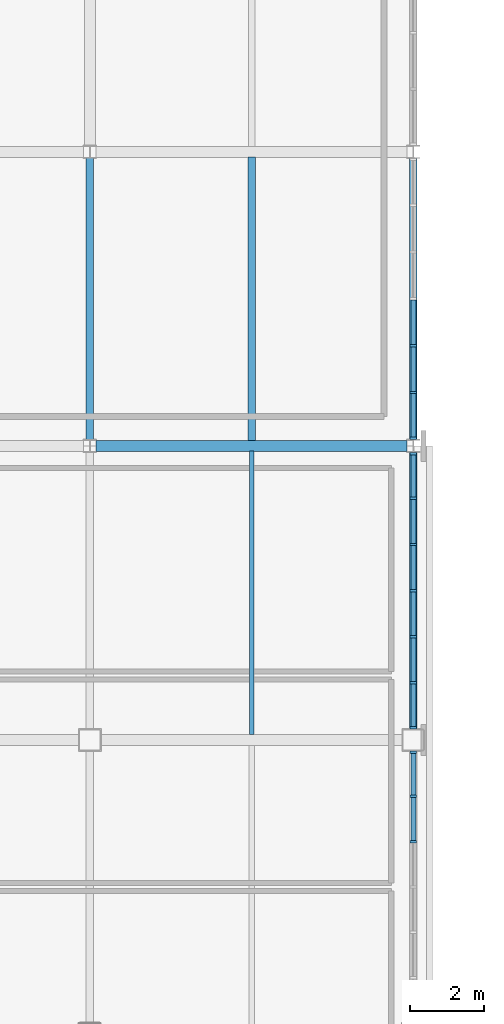
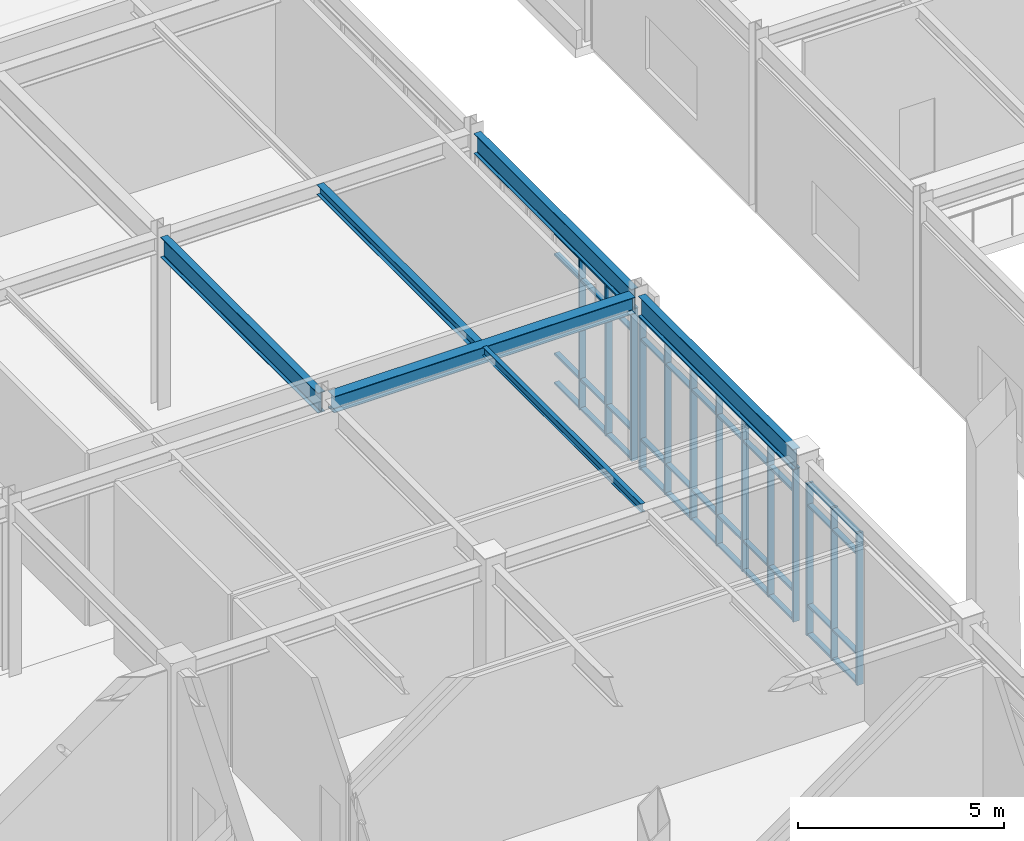
# One storey, part 65 of 184: 57 members, 6 beams, 3 elements without a shape of their own.
"""IFC4 building model written with IfcOpenShell, lengths in metres."""

from ifc_helpers import new_model, si_unit, direction, frame, origin, origin_2d, place, context, subcontext, project, spatial, rectangle, i_section, extrude, material, material_profile, profile_set, type_object, element, aggregate, save


model = new_model("IFC4")

# Units and contexts
model_context = context("Model", 3, precision=1e-05, world=origin(), true_north=direction((0.0, 1.0)))
body_context = subcontext(model_context, "Body", "Model", "MODEL_VIEW")
ifc_project = project(units=[si_unit("LENGTHUNIT", "METRE"), si_unit("AREAUNIT", "SQUARE_METRE"), si_unit("VOLUMEUNIT", "CUBIC_METRE"), si_unit("PLANEANGLEUNIT", "RADIAN"), si_unit("MASSUNIT", "GRAM", prefix="KILO")], contexts=[model_context])

# Site, building, storey
site_placement = place(None, origin())
site = spatial("IfcSite", under=ifc_project, at=site_placement, CompositionType="ELEMENT")
building_placement = place(site_placement, origin())
building = spatial("IfcBuilding", under=site, at=building_placement, Name="Zhaolan Boulevard Law Courts", CompositionType="ELEMENT")
storey_placement = place(building_placement, frame((0.0, 0.0, 5.39990234375)))
storey = spatial("IfcBuildingStorey", under=building, at=storey_placement, Name="L01", CompositionType="ELEMENT", Elevation=5.39990234375)

# Curtain wall, members
ifc_material_1 = material(Name="Thermally broken aluminium and low-E glazing", Category="aluminium")
curtain_wall_type_1 = type_object("IfcCurtainWallType", Name="CURTAIN WALL M15", PredefinedType="USERDEFINED", material=ifc_material_1)
curtain_wall_1_placement = place(storey_placement, origin())
curtain_wall_1 = element("IfcCurtainWall", 1, at=curtain_wall_1_placement, inside=storey, type_object=curtain_wall_type_1, Name="Curtain Wall CW-L01-111", ObjectType="CURTAIN WALL", PredefinedType="USERDEFINED")
ifc_material_2 = material(Name="Fluorocarbon-coated aluminium 6063-T6", Category="aluminium")
ifc_material_profile_1 = material_profile(ifc_material_2, rectangle(XDim=0.179931640625, YDim=0.06494140625, at=origin_2d()), Name="AL65x180")
ifc_profile_set_1 = profile_set([ifc_material_profile_1], Name="Fluorocarbon-coated aluminium 6063-T6")
member_type_1 = type_object("IfcMemberType", Name="CWMULLION 65X180", PredefinedType="MULLION", material=ifc_profile_set_1)
member_1_placement = place(storey_placement, frame((44.0, 78.20947265625, 0.0), z_axis=(0.0, 0.0, 1.0), x_axis=(-1.0, 0.0, 0.0)))
member_1 = element("IfcMember", 2, at=member_1_placement, type_object=member_type_1, Name="CW-L01-111 mullion 1", PredefinedType="MULLION", context=body_context, shape_type="SweptSolid", body=[
    extrude(rectangle(XDim=0.179931640625, YDim=0.06494140625, at=origin_2d()), origin(), (0.0, 0.0, 1.0), 4.503173828125),
])
member_2_placement = place(storey_placement, frame((44.0, 79.451416015625, 0.0), z_axis=(0.0, 0.0, 1.0), x_axis=(-1.0, 0.0, 0.0)))
member_2 = element("IfcMember", 3, at=member_2_placement, type_object=member_type_1, Name="CW-L01-111 mullion 2", PredefinedType="MULLION", context=body_context, shape_type="SweptSolid", body=[
    extrude(rectangle(XDim=0.179931640625, YDim=0.06494140625, at=origin_2d()), origin(), (0.0, 0.0, 1.0), 4.503173828125),
])
member_3_placement = place(storey_placement, frame((44.0, 80.7255859375, 0.0), z_axis=(0.0, 0.0, 1.0), x_axis=(-1.0, 0.0, 0.0)))
member_3 = element("IfcMember", 4, at=member_3_placement, type_object=member_type_1, Name="CW-L01-111 mullion 3", PredefinedType="MULLION", context=body_context, shape_type="SweptSolid", body=[
    extrude(rectangle(XDim=0.179931640625, YDim=0.06494140625, at=origin_2d()), origin(), (0.0, 0.0, 1.0), 4.503173828125),
])

ifc_material_3 = material(Name="Thermally broken aluminium and low-E glazing", Category="aluminium")
curtain_wall_type_2 = type_object("IfcCurtainWallType", Name="CURTAIN WALL M5", PredefinedType="USERDEFINED", material=ifc_material_3)
curtain_wall_2_placement = place(storey_placement, origin())
curtain_wall_2 = element("IfcCurtainWall", 5, at=curtain_wall_2_placement, inside=storey, type_object=curtain_wall_type_2, Name="Curtain Wall CW-L01-149", ObjectType="CURTAIN WALL", PredefinedType="USERDEFINED")
member_4_placement = place(storey_placement, frame((44.0, 67.232666015625, 0.0), z_axis=(0.0, 0.0, 1.0), x_axis=(-1.0, 0.0, 0.0)))
member_4 = element("IfcMember", 6, at=member_4_placement, type_object=member_type_1, Name="CW-L01-149 mullion 5", PredefinedType="MULLION", context=body_context, shape_type="SweptSolid", body=[
    extrude(rectangle(XDim=0.179931640625, YDim=0.06494140625, at=origin_2d()), origin(), (0.0, 0.0, 1.0), 4.523193359375),
])
member_5_placement = place(storey_placement, frame((44.0, 68.46533203125, 0.0), z_axis=(0.0, 0.0, 1.0), x_axis=(-1.0, 0.0, 0.0)))
member_5 = element("IfcMember", 7, at=member_5_placement, type_object=member_type_1, Name="CW-L01-149 mullion 6", PredefinedType="MULLION", context=body_context, shape_type="SweptSolid", body=[
    extrude(rectangle(XDim=0.179931640625, YDim=0.06494140625, at=origin_2d()), origin(), (0.0, 0.0, 1.0), 4.523193359375),
])
member_6_placement = place(storey_placement, frame((44.0, 69.66552734375, 0.0), z_axis=(0.0, 0.0, 1.0), x_axis=(-1.0, 0.0, 0.0)))
member_6 = element("IfcMember", 8, at=member_6_placement, type_object=member_type_1, Name="CW-L01-149 mullion 7", PredefinedType="MULLION", context=body_context, shape_type="SweptSolid", body=[
    extrude(rectangle(XDim=0.179931640625, YDim=0.06494140625, at=origin_2d()), origin(), (0.0, 0.0, 1.0), 4.523193359375),
])

ifc_material_4 = material(Name="Thermally broken aluminium and low-E glazing", Category="aluminium")
curtain_wall_type_3 = type_object("IfcCurtainWallType", Name="CURTAIN WALL M6", PredefinedType="USERDEFINED", material=ifc_material_4)
curtain_wall_3_placement = place(storey_placement, origin())
curtain_wall_3 = element("IfcCurtainWall", 9, at=curtain_wall_3_placement, inside=storey, type_object=curtain_wall_type_3, Name="Curtain Wall CW-L01-150", ObjectType="CURTAIN WALL", PredefinedType="USERDEFINED")
member_7_placement = place(storey_placement, frame((44.0, 70.33447265625, 0.0), z_axis=(0.0, 0.0, 1.0), x_axis=(-1.0, 0.0, 0.0)))
member_7 = element("IfcMember", 10, at=member_7_placement, type_object=member_type_1, Name="CW-L01-150 mullion 1", PredefinedType="MULLION", context=body_context, shape_type="SweptSolid", body=[
    extrude(rectangle(XDim=0.179931640625, YDim=0.06494140625, at=origin_2d()), origin(), (0.0, 0.0, 1.0), 4.523193359375),
])
member_8_placement = place(storey_placement, frame((44.0, 71.555419921875, 0.0), z_axis=(0.0, 0.0, 1.0), x_axis=(-1.0, 0.0, 0.0)))
member_8 = element("IfcMember", 11, at=member_8_placement, type_object=member_type_1, Name="CW-L01-150 mullion 2", PredefinedType="MULLION", context=body_context, shape_type="SweptSolid", body=[
    extrude(rectangle(XDim=0.179931640625, YDim=0.06494140625, at=origin_2d()), origin(), (0.0, 0.0, 1.0), 4.523193359375),
])
member_9_placement = place(storey_placement, frame((44.0, 72.80908203125, 0.0), z_axis=(0.0, 0.0, 1.0), x_axis=(-1.0, 0.0, 0.0)))
member_9 = element("IfcMember", 12, at=member_9_placement, type_object=member_type_1, Name="CW-L01-150 mullion 3", PredefinedType="MULLION", context=body_context, shape_type="SweptSolid", body=[
    extrude(rectangle(XDim=0.179931640625, YDim=0.06494140625, at=origin_2d()), origin(), (0.0, 0.0, 1.0), 4.523193359375),
])
member_10_placement = place(storey_placement, frame((44.0, 74.0625, 0.0), z_axis=(0.0, 0.0, 1.0), x_axis=(-1.0, 0.0, 0.0)))
member_10 = element("IfcMember", 13, at=member_10_placement, type_object=member_type_1, Name="CW-L01-150 mullion 4", PredefinedType="MULLION", context=body_context, shape_type="SweptSolid", body=[
    extrude(rectangle(XDim=0.179931640625, YDim=0.06494140625, at=origin_2d()), origin(), (0.0, 0.0, 1.0), 4.523193359375),
])
member_11_placement = place(storey_placement, frame((44.0, 75.31591796875, 0.0), z_axis=(0.0, 0.0, 1.0), x_axis=(-1.0, 0.0, 0.0)))
member_11 = element("IfcMember", 14, at=member_11_placement, type_object=member_type_1, Name="CW-L01-150 mullion 5", PredefinedType="MULLION", context=body_context, shape_type="SweptSolid", body=[
    extrude(rectangle(XDim=0.179931640625, YDim=0.06494140625, at=origin_2d()), origin(), (0.0, 0.0, 1.0), 4.523193359375),
])
member_12_placement = place(storey_placement, frame((44.0, 76.569580078125, 0.0), z_axis=(0.0, 0.0, 1.0), x_axis=(-1.0, 0.0, 0.0)))
member_12 = element("IfcMember", 15, at=member_12_placement, type_object=member_type_1, Name="CW-L01-150 mullion 6", PredefinedType="MULLION", context=body_context, shape_type="SweptSolid", body=[
    extrude(rectangle(XDim=0.179931640625, YDim=0.06494140625, at=origin_2d()), origin(), (0.0, 0.0, 1.0), 4.523193359375),
])
member_13_placement = place(storey_placement, frame((44.0, 77.79052734375, 0.0), z_axis=(0.0, 0.0, 1.0), x_axis=(-1.0, 0.0, 0.0)))
member_13 = element("IfcMember", 16, at=member_13_placement, type_object=member_type_1, Name="CW-L01-150 mullion 7", PredefinedType="MULLION", context=body_context, shape_type="SweptSolid", body=[
    extrude(rectangle(XDim=0.179931640625, YDim=0.06494140625, at=origin_2d()), origin(), (0.0, 0.0, 1.0), 4.523193359375),
])

# Member
ifc_material_5 = material(Name="Fluorocarbon-coated aluminium 6063-T6", Category="aluminium")
ifc_material_profile_2 = material_profile(ifc_material_5, rectangle(XDim=0.139892578125, YDim=0.06494140625, at=origin_2d()), Name="AL65x140")
ifc_profile_set_2 = profile_set([ifc_material_profile_2], Name="Fluorocarbon-coated aluminium 6063-T6")
member_type_2 = type_object("IfcMemberType", Name="CWTRANSOM 65X140", PredefinedType="USERDEFINED", material=ifc_profile_set_2)
member_14_placement = place(storey_placement, frame((44.0, 78.241943359375, 0.03271484375), z_axis=(0.0, 1.0, 0.0), x_axis=(-1.0, 0.0, 0.0)))
member_14 = element("IfcMember", 17, at=member_14_placement, type_object=member_type_2, Name="CW-L01-111 transom 1.1", ObjectType="TRANSOM", PredefinedType="USERDEFINED", context=body_context, shape_type="SweptSolid", body=[
    extrude(rectangle(XDim=0.139892578125, YDim=0.06494140625, at=origin_2d()), origin(), (0.0, 0.0, 1.0), 1.177001953125),
])

member_15_placement = place(storey_placement, frame((44.0, 78.241943359375, 0.900146484375), z_axis=(0.0, 1.0, 0.0), x_axis=(-1.0, 0.0, 0.0)))
member_15 = element("IfcMember", 18, at=member_15_placement, type_object=member_type_2, Name="CW-L01-111 transom 1.2", ObjectType="TRANSOM", PredefinedType="USERDEFINED", context=body_context, shape_type="SweptSolid", body=[
    extrude(rectangle(XDim=0.139892578125, YDim=0.06494140625, at=origin_2d()), origin(), (0.0, 0.0, 1.0), 1.177001953125),
])

member_16_placement = place(storey_placement, frame((44.0, 78.241943359375, 3.85302734375), z_axis=(0.0, 1.0, 0.0), x_axis=(-1.0, 0.0, 0.0)))
member_16 = element("IfcMember", 19, at=member_16_placement, type_object=member_type_2, Name="CW-L01-111 transom 1.3", ObjectType="TRANSOM", PredefinedType="USERDEFINED", context=body_context, shape_type="SweptSolid", body=[
    extrude(rectangle(XDim=0.139892578125, YDim=0.06494140625, at=origin_2d()), origin(), (0.0, 0.0, 1.0), 1.177001953125),
])

member_17_placement = place(storey_placement, frame((44.0, 78.241943359375, 4.470703125), z_axis=(0.0, 1.0, 0.0), x_axis=(-1.0, 0.0, 0.0)))
member_17 = element("IfcMember", 20, at=member_17_placement, type_object=member_type_2, Name="CW-L01-111 transom 1.4", ObjectType="TRANSOM", PredefinedType="USERDEFINED", context=body_context, shape_type="SweptSolid", body=[
    extrude(rectangle(XDim=0.139892578125, YDim=0.06494140625, at=origin_2d()), origin(), (0.0, 0.0, 1.0), 1.177001953125),
])

member_18_placement = place(storey_placement, frame((44.0, 79.48388671875, 0.03271484375), z_axis=(0.0, 1.0, 0.0), x_axis=(-1.0, 0.0, 0.0)))
member_18 = element("IfcMember", 21, at=member_18_placement, type_object=member_type_2, Name="CW-L01-111 transom 2.1", ObjectType="TRANSOM", PredefinedType="USERDEFINED", context=body_context, shape_type="SweptSolid", body=[
    extrude(rectangle(XDim=0.139892578125, YDim=0.06494140625, at=origin_2d()), origin(), (0.0, 0.0, 1.0), 1.209228515625),
])

member_19_placement = place(storey_placement, frame((44.0, 79.48388671875, 0.900146484375), z_axis=(0.0, 1.0, 0.0), x_axis=(-1.0, 0.0, 0.0)))
member_19 = element("IfcMember", 22, at=member_19_placement, type_object=member_type_2, Name="CW-L01-111 transom 2.2", ObjectType="TRANSOM", PredefinedType="USERDEFINED", context=body_context, shape_type="SweptSolid", body=[
    extrude(rectangle(XDim=0.139892578125, YDim=0.06494140625, at=origin_2d()), origin(), (0.0, 0.0, 1.0), 1.209228515625),
])

member_20_placement = place(storey_placement, frame((44.0, 79.48388671875, 3.85302734375), z_axis=(0.0, 1.0, 0.0), x_axis=(-1.0, 0.0, 0.0)))
member_20 = element("IfcMember", 23, at=member_20_placement, type_object=member_type_2, Name="CW-L01-111 transom 2.3", ObjectType="TRANSOM", PredefinedType="USERDEFINED", context=body_context, shape_type="SweptSolid", body=[
    extrude(rectangle(XDim=0.139892578125, YDim=0.06494140625, at=origin_2d()), origin(), (0.0, 0.0, 1.0), 1.209228515625),
])

member_21_placement = place(storey_placement, frame((44.0, 79.48388671875, 4.470703125), z_axis=(0.0, 1.0, 0.0), x_axis=(-1.0, 0.0, 0.0)))
member_21 = element("IfcMember", 24, at=member_21_placement, type_object=member_type_2, Name="CW-L01-111 transom 2.4", ObjectType="TRANSOM", PredefinedType="USERDEFINED", context=body_context, shape_type="SweptSolid", body=[
    extrude(rectangle(XDim=0.139892578125, YDim=0.06494140625, at=origin_2d()), origin(), (0.0, 0.0, 1.0), 1.209228515625),
])

member_22_placement = place(storey_placement, frame((44.0, 80.758056640625, 0.03271484375), z_axis=(0.0, 1.0, 0.0), x_axis=(-1.0, 0.0, 0.0)))
member_22 = element("IfcMember", 25, at=member_22_placement, type_object=member_type_2, Name="CW-L01-111 transom 3.1", ObjectType="TRANSOM", PredefinedType="USERDEFINED", context=body_context, shape_type="SweptSolid", body=[
    extrude(rectangle(XDim=0.139892578125, YDim=0.06494140625, at=origin_2d()), origin(), (0.0, 0.0, 1.0), 1.20947265625),
])

member_23_placement = place(storey_placement, frame((44.0, 80.758056640625, 0.900146484375), z_axis=(0.0, 1.0, 0.0), x_axis=(-1.0, 0.0, 0.0)))
member_23 = element("IfcMember", 26, at=member_23_placement, type_object=member_type_2, Name="CW-L01-111 transom 3.2", ObjectType="TRANSOM", PredefinedType="USERDEFINED", context=body_context, shape_type="SweptSolid", body=[
    extrude(rectangle(XDim=0.139892578125, YDim=0.06494140625, at=origin_2d()), origin(), (0.0, 0.0, 1.0), 1.20947265625),
])

member_24_placement = place(storey_placement, frame((44.0, 80.758056640625, 3.85302734375), z_axis=(0.0, 1.0, 0.0), x_axis=(-1.0, 0.0, 0.0)))
member_24 = element("IfcMember", 27, at=member_24_placement, type_object=member_type_2, Name="CW-L01-111 transom 3.3", ObjectType="TRANSOM", PredefinedType="USERDEFINED", context=body_context, shape_type="SweptSolid", body=[
    extrude(rectangle(XDim=0.139892578125, YDim=0.06494140625, at=origin_2d()), origin(), (0.0, 0.0, 1.0), 1.20947265625),
])

member_25_placement = place(storey_placement, frame((44.0, 80.758056640625, 4.470703125), z_axis=(0.0, 1.0, 0.0), x_axis=(-1.0, 0.0, 0.0)))
member_25 = element("IfcMember", 28, at=member_25_placement, type_object=member_type_2, Name="CW-L01-111 transom 3.4", ObjectType="TRANSOM", PredefinedType="USERDEFINED", context=body_context, shape_type="SweptSolid", body=[
    extrude(rectangle(XDim=0.139892578125, YDim=0.06494140625, at=origin_2d()), origin(), (0.0, 0.0, 1.0), 1.20947265625),
])

aggregate(curtain_wall_1, [member_1, member_2, member_3, member_14, member_15, member_16, member_17, member_18, member_19, member_20, member_21, member_22, member_23, member_24, member_25])

member_26_placement = place(storey_placement, frame((44.0, 67.26513671875, 0.03271484375), z_axis=(0.0, 1.0, 0.0), x_axis=(-1.0, 0.0, 0.0)))
member_26 = element("IfcMember", 29, at=member_26_placement, type_object=member_type_2, Name="CW-L01-149 transom 5.1", ObjectType="TRANSOM", PredefinedType="USERDEFINED", context=body_context, shape_type="SweptSolid", body=[
    extrude(rectangle(XDim=0.139892578125, YDim=0.06494140625, at=origin_2d()), origin(), (0.0, 0.0, 1.0), 1.167724609375),
])

member_27_placement = place(storey_placement, frame((44.0, 67.26513671875, 0.900146484375), z_axis=(0.0, 1.0, 0.0), x_axis=(-1.0, 0.0, 0.0)))
member_27 = element("IfcMember", 30, at=member_27_placement, type_object=member_type_2, Name="CW-L01-149 transom 5.2", ObjectType="TRANSOM", PredefinedType="USERDEFINED", context=body_context, shape_type="SweptSolid", body=[
    extrude(rectangle(XDim=0.139892578125, YDim=0.06494140625, at=origin_2d()), origin(), (0.0, 0.0, 1.0), 1.167724609375),
])

member_28_placement = place(storey_placement, frame((44.0, 67.26513671875, 3.873046875), z_axis=(0.0, 1.0, 0.0), x_axis=(-1.0, 0.0, 0.0)))
member_28 = element("IfcMember", 31, at=member_28_placement, type_object=member_type_2, Name="CW-L01-149 transom 5.3", ObjectType="TRANSOM", PredefinedType="USERDEFINED", context=body_context, shape_type="SweptSolid", body=[
    extrude(rectangle(XDim=0.139892578125, YDim=0.06494140625, at=origin_2d()), origin(), (0.0, 0.0, 1.0), 1.167724609375),
])

member_29_placement = place(storey_placement, frame((44.0, 67.26513671875, 4.490478515625), z_axis=(0.0, 1.0, 0.0), x_axis=(-1.0, 0.0, 0.0)))
member_29 = element("IfcMember", 32, at=member_29_placement, type_object=member_type_2, Name="CW-L01-149 transom 5.4", ObjectType="TRANSOM", PredefinedType="USERDEFINED", context=body_context, shape_type="SweptSolid", body=[
    extrude(rectangle(XDim=0.139892578125, YDim=0.06494140625, at=origin_2d()), origin(), (0.0, 0.0, 1.0), 1.167724609375),
])

member_30_placement = place(storey_placement, frame((44.0, 68.497802734375, 0.03271484375), z_axis=(0.0, 1.0, 0.0), x_axis=(-1.0, 0.0, 0.0)))
member_30 = element("IfcMember", 33, at=member_30_placement, type_object=member_type_2, Name="CW-L01-149 transom 6.1", ObjectType="TRANSOM", PredefinedType="USERDEFINED", context=body_context, shape_type="SweptSolid", body=[
    extrude(rectangle(XDim=0.139892578125, YDim=0.06494140625, at=origin_2d()), origin(), (0.0, 0.0, 1.0), 1.13525390625),
])

member_31_placement = place(storey_placement, frame((44.0, 68.497802734375, 0.900146484375), z_axis=(0.0, 1.0, 0.0), x_axis=(-1.0, 0.0, 0.0)))
member_31 = element("IfcMember", 34, at=member_31_placement, type_object=member_type_2, Name="CW-L01-149 transom 6.2", ObjectType="TRANSOM", PredefinedType="USERDEFINED", context=body_context, shape_type="SweptSolid", body=[
    extrude(rectangle(XDim=0.139892578125, YDim=0.06494140625, at=origin_2d()), origin(), (0.0, 0.0, 1.0), 1.13525390625),
])

member_32_placement = place(storey_placement, frame((44.0, 68.497802734375, 3.873046875), z_axis=(0.0, 1.0, 0.0), x_axis=(-1.0, 0.0, 0.0)))
member_32 = element("IfcMember", 35, at=member_32_placement, type_object=member_type_2, Name="CW-L01-149 transom 6.3", ObjectType="TRANSOM", PredefinedType="USERDEFINED", context=body_context, shape_type="SweptSolid", body=[
    extrude(rectangle(XDim=0.139892578125, YDim=0.06494140625, at=origin_2d()), origin(), (0.0, 0.0, 1.0), 1.13525390625),
])

member_33_placement = place(storey_placement, frame((44.0, 68.497802734375, 4.490478515625), z_axis=(0.0, 1.0, 0.0), x_axis=(-1.0, 0.0, 0.0)))
member_33 = element("IfcMember", 36, at=member_33_placement, type_object=member_type_2, Name="CW-L01-149 transom 6.4", ObjectType="TRANSOM", PredefinedType="USERDEFINED", context=body_context, shape_type="SweptSolid", body=[
    extrude(rectangle(XDim=0.139892578125, YDim=0.06494140625, at=origin_2d()), origin(), (0.0, 0.0, 1.0), 1.13525390625),
])

aggregate(curtain_wall_2, [member_4, member_5, member_6, member_26, member_27, member_28, member_29, member_30, member_31, member_32, member_33])

member_34_placement = place(storey_placement, frame((44.0, 70.366943359375, 0.03271484375), z_axis=(0.0, 1.0, 0.0), x_axis=(-1.0, 0.0, 0.0)))
member_34 = element("IfcMember", 37, at=member_34_placement, type_object=member_type_2, Name="CW-L01-150 transom 1.1", ObjectType="TRANSOM", PredefinedType="USERDEFINED", context=body_context, shape_type="SweptSolid", body=[
    extrude(rectangle(XDim=0.139892578125, YDim=0.06494140625, at=origin_2d()), origin(), (0.0, 0.0, 1.0), 1.156005859375),
])

member_35_placement = place(storey_placement, frame((44.0, 70.366943359375, 0.900146484375), z_axis=(0.0, 1.0, 0.0), x_axis=(-1.0, 0.0, 0.0)))
member_35 = element("IfcMember", 38, at=member_35_placement, type_object=member_type_2, Name="CW-L01-150 transom 1.2", ObjectType="TRANSOM", PredefinedType="USERDEFINED", context=body_context, shape_type="SweptSolid", body=[
    extrude(rectangle(XDim=0.139892578125, YDim=0.06494140625, at=origin_2d()), origin(), (0.0, 0.0, 1.0), 1.156005859375),
])

member_36_placement = place(storey_placement, frame((44.0, 70.366943359375, 3.873046875), z_axis=(0.0, 1.0, 0.0), x_axis=(-1.0, 0.0, 0.0)))
member_36 = element("IfcMember", 39, at=member_36_placement, type_object=member_type_2, Name="CW-L01-150 transom 1.3", ObjectType="TRANSOM", PredefinedType="USERDEFINED", context=body_context, shape_type="SweptSolid", body=[
    extrude(rectangle(XDim=0.139892578125, YDim=0.06494140625, at=origin_2d()), origin(), (0.0, 0.0, 1.0), 1.156005859375),
])

member_37_placement = place(storey_placement, frame((44.0, 70.366943359375, 4.490478515625), z_axis=(0.0, 1.0, 0.0), x_axis=(-1.0, 0.0, 0.0)))
member_37 = element("IfcMember", 40, at=member_37_placement, type_object=member_type_2, Name="CW-L01-150 transom 1.4", ObjectType="TRANSOM", PredefinedType="USERDEFINED", context=body_context, shape_type="SweptSolid", body=[
    extrude(rectangle(XDim=0.139892578125, YDim=0.06494140625, at=origin_2d()), origin(), (0.0, 0.0, 1.0), 1.156005859375),
])

member_38_placement = place(storey_placement, frame((44.0, 71.587890625, 0.03271484375), z_axis=(0.0, 1.0, 0.0), x_axis=(-1.0, 0.0, 0.0)))
member_38 = element("IfcMember", 41, at=member_38_placement, type_object=member_type_2, Name="CW-L01-150 transom 2.1", ObjectType="TRANSOM", PredefinedType="USERDEFINED", context=body_context, shape_type="SweptSolid", body=[
    extrude(rectangle(XDim=0.139892578125, YDim=0.06494140625, at=origin_2d()), origin(), (0.0, 0.0, 1.0), 1.188720703125),
])

member_39_placement = place(storey_placement, frame((44.0, 71.587890625, 0.900146484375), z_axis=(0.0, 1.0, 0.0), x_axis=(-1.0, 0.0, 0.0)))
member_39 = element("IfcMember", 42, at=member_39_placement, type_object=member_type_2, Name="CW-L01-150 transom 2.2", ObjectType="TRANSOM", PredefinedType="USERDEFINED", context=body_context, shape_type="SweptSolid", body=[
    extrude(rectangle(XDim=0.139892578125, YDim=0.06494140625, at=origin_2d()), origin(), (0.0, 0.0, 1.0), 1.188720703125),
])

member_40_placement = place(storey_placement, frame((44.0, 71.587890625, 3.873046875), z_axis=(0.0, 1.0, 0.0), x_axis=(-1.0, 0.0, 0.0)))
member_40 = element("IfcMember", 43, at=member_40_placement, type_object=member_type_2, Name="CW-L01-150 transom 2.3", ObjectType="TRANSOM", PredefinedType="USERDEFINED", context=body_context, shape_type="SweptSolid", body=[
    extrude(rectangle(XDim=0.139892578125, YDim=0.06494140625, at=origin_2d()), origin(), (0.0, 0.0, 1.0), 1.188720703125),
])

member_41_placement = place(storey_placement, frame((44.0, 71.587890625, 4.490478515625), z_axis=(0.0, 1.0, 0.0), x_axis=(-1.0, 0.0, 0.0)))
member_41 = element("IfcMember", 44, at=member_41_placement, type_object=member_type_2, Name="CW-L01-150 transom 2.4", ObjectType="TRANSOM", PredefinedType="USERDEFINED", context=body_context, shape_type="SweptSolid", body=[
    extrude(rectangle(XDim=0.139892578125, YDim=0.06494140625, at=origin_2d()), origin(), (0.0, 0.0, 1.0), 1.188720703125),
])

member_42_placement = place(storey_placement, frame((44.0, 72.841552734375, 0.03271484375), z_axis=(0.0, 1.0, 0.0), x_axis=(-1.0, 0.0, 0.0)))
member_42 = element("IfcMember", 45, at=member_42_placement, type_object=member_type_2, Name="CW-L01-150 transom 3.1", ObjectType="TRANSOM", PredefinedType="USERDEFINED", context=body_context, shape_type="SweptSolid", body=[
    extrude(rectangle(XDim=0.139892578125, YDim=0.06494140625, at=origin_2d()), origin(), (0.0, 0.0, 1.0), 1.1884765625),
])

member_43_placement = place(storey_placement, frame((44.0, 72.841552734375, 0.900146484375), z_axis=(0.0, 1.0, 0.0), x_axis=(-1.0, 0.0, 0.0)))
member_43 = element("IfcMember", 46, at=member_43_placement, type_object=member_type_2, Name="CW-L01-150 transom 3.2", ObjectType="TRANSOM", PredefinedType="USERDEFINED", context=body_context, shape_type="SweptSolid", body=[
    extrude(rectangle(XDim=0.139892578125, YDim=0.06494140625, at=origin_2d()), origin(), (0.0, 0.0, 1.0), 1.1884765625),
])

member_44_placement = place(storey_placement, frame((44.0, 72.841552734375, 3.873046875), z_axis=(0.0, 1.0, 0.0), x_axis=(-1.0, 0.0, 0.0)))
member_44 = element("IfcMember", 47, at=member_44_placement, type_object=member_type_2, Name="CW-L01-150 transom 3.3", ObjectType="TRANSOM", PredefinedType="USERDEFINED", context=body_context, shape_type="SweptSolid", body=[
    extrude(rectangle(XDim=0.139892578125, YDim=0.06494140625, at=origin_2d()), origin(), (0.0, 0.0, 1.0), 1.1884765625),
])

member_45_placement = place(storey_placement, frame((44.0, 72.841552734375, 4.490478515625), z_axis=(0.0, 1.0, 0.0), x_axis=(-1.0, 0.0, 0.0)))
member_45 = element("IfcMember", 48, at=member_45_placement, type_object=member_type_2, Name="CW-L01-150 transom 3.4", ObjectType="TRANSOM", PredefinedType="USERDEFINED", context=body_context, shape_type="SweptSolid", body=[
    extrude(rectangle(XDim=0.139892578125, YDim=0.06494140625, at=origin_2d()), origin(), (0.0, 0.0, 1.0), 1.1884765625),
])

member_46_placement = place(storey_placement, frame((44.0, 74.094970703125, 0.03271484375), z_axis=(0.0, 1.0, 0.0), x_axis=(-1.0, 0.0, 0.0)))
member_46 = element("IfcMember", 49, at=member_46_placement, type_object=member_type_2, Name="CW-L01-150 transom 4.1", ObjectType="TRANSOM", PredefinedType="USERDEFINED", context=body_context, shape_type="SweptSolid", body=[
    extrude(rectangle(XDim=0.139892578125, YDim=0.06494140625, at=origin_2d()), origin(), (0.0, 0.0, 1.0), 1.1884765625),
])

member_47_placement = place(storey_placement, frame((44.0, 74.094970703125, 0.900146484375), z_axis=(0.0, 1.0, 0.0), x_axis=(-1.0, 0.0, 0.0)))
member_47 = element("IfcMember", 50, at=member_47_placement, type_object=member_type_2, Name="CW-L01-150 transom 4.2", ObjectType="TRANSOM", PredefinedType="USERDEFINED", context=body_context, shape_type="SweptSolid", body=[
    extrude(rectangle(XDim=0.139892578125, YDim=0.06494140625, at=origin_2d()), origin(), (0.0, 0.0, 1.0), 1.1884765625),
])

member_48_placement = place(storey_placement, frame((44.0, 74.094970703125, 3.873046875), z_axis=(0.0, 1.0, 0.0), x_axis=(-1.0, 0.0, 0.0)))
member_48 = element("IfcMember", 51, at=member_48_placement, type_object=member_type_2, Name="CW-L01-150 transom 4.3", ObjectType="TRANSOM", PredefinedType="USERDEFINED", context=body_context, shape_type="SweptSolid", body=[
    extrude(rectangle(XDim=0.139892578125, YDim=0.06494140625, at=origin_2d()), origin(), (0.0, 0.0, 1.0), 1.1884765625),
])

member_49_placement = place(storey_placement, frame((44.0, 74.094970703125, 4.490478515625), z_axis=(0.0, 1.0, 0.0), x_axis=(-1.0, 0.0, 0.0)))
member_49 = element("IfcMember", 52, at=member_49_placement, type_object=member_type_2, Name="CW-L01-150 transom 4.4", ObjectType="TRANSOM", PredefinedType="USERDEFINED", context=body_context, shape_type="SweptSolid", body=[
    extrude(rectangle(XDim=0.139892578125, YDim=0.06494140625, at=origin_2d()), origin(), (0.0, 0.0, 1.0), 1.1884765625),
])

member_50_placement = place(storey_placement, frame((44.0, 75.348388671875, 0.03271484375), z_axis=(0.0, 1.0, 0.0), x_axis=(-1.0, 0.0, 0.0)))
member_50 = element("IfcMember", 53, at=member_50_placement, type_object=member_type_2, Name="CW-L01-150 transom 5.1", ObjectType="TRANSOM", PredefinedType="USERDEFINED", context=body_context, shape_type="SweptSolid", body=[
    extrude(rectangle(XDim=0.139892578125, YDim=0.06494140625, at=origin_2d()), origin(), (0.0, 0.0, 1.0), 1.188720703125),
])

member_51_placement = place(storey_placement, frame((44.0, 75.348388671875, 0.900146484375), z_axis=(0.0, 1.0, 0.0), x_axis=(-1.0, 0.0, 0.0)))
member_51 = element("IfcMember", 54, at=member_51_placement, type_object=member_type_2, Name="CW-L01-150 transom 5.2", ObjectType="TRANSOM", PredefinedType="USERDEFINED", context=body_context, shape_type="SweptSolid", body=[
    extrude(rectangle(XDim=0.139892578125, YDim=0.06494140625, at=origin_2d()), origin(), (0.0, 0.0, 1.0), 1.188720703125),
])

member_52_placement = place(storey_placement, frame((44.0, 75.348388671875, 3.873046875), z_axis=(0.0, 1.0, 0.0), x_axis=(-1.0, 0.0, 0.0)))
member_52 = element("IfcMember", 55, at=member_52_placement, type_object=member_type_2, Name="CW-L01-150 transom 5.3", ObjectType="TRANSOM", PredefinedType="USERDEFINED", context=body_context, shape_type="SweptSolid", body=[
    extrude(rectangle(XDim=0.139892578125, YDim=0.06494140625, at=origin_2d()), origin(), (0.0, 0.0, 1.0), 1.188720703125),
])

member_53_placement = place(storey_placement, frame((44.0, 75.348388671875, 4.490478515625), z_axis=(0.0, 1.0, 0.0), x_axis=(-1.0, 0.0, 0.0)))
member_53 = element("IfcMember", 56, at=member_53_placement, type_object=member_type_2, Name="CW-L01-150 transom 5.4", ObjectType="TRANSOM", PredefinedType="USERDEFINED", context=body_context, shape_type="SweptSolid", body=[
    extrude(rectangle(XDim=0.139892578125, YDim=0.06494140625, at=origin_2d()), origin(), (0.0, 0.0, 1.0), 1.188720703125),
])

member_54_placement = place(storey_placement, frame((44.0, 76.60205078125, 0.03271484375), z_axis=(0.0, 1.0, 0.0), x_axis=(-1.0, 0.0, 0.0)))
member_54 = element("IfcMember", 57, at=member_54_placement, type_object=member_type_2, Name="CW-L01-150 transom 6.1", ObjectType="TRANSOM", PredefinedType="USERDEFINED", context=body_context, shape_type="SweptSolid", body=[
    extrude(rectangle(XDim=0.139892578125, YDim=0.06494140625, at=origin_2d()), origin(), (0.0, 0.0, 1.0), 1.156005859375),
])

member_55_placement = place(storey_placement, frame((44.0, 76.60205078125, 0.900146484375), z_axis=(0.0, 1.0, 0.0), x_axis=(-1.0, 0.0, 0.0)))
member_55 = element("IfcMember", 58, at=member_55_placement, type_object=member_type_2, Name="CW-L01-150 transom 6.2", ObjectType="TRANSOM", PredefinedType="USERDEFINED", context=body_context, shape_type="SweptSolid", body=[
    extrude(rectangle(XDim=0.139892578125, YDim=0.06494140625, at=origin_2d()), origin(), (0.0, 0.0, 1.0), 1.156005859375),
])

member_56_placement = place(storey_placement, frame((44.0, 76.60205078125, 3.873046875), z_axis=(0.0, 1.0, 0.0), x_axis=(-1.0, 0.0, 0.0)))
member_56 = element("IfcMember", 59, at=member_56_placement, type_object=member_type_2, Name="CW-L01-150 transom 6.3", ObjectType="TRANSOM", PredefinedType="USERDEFINED", context=body_context, shape_type="SweptSolid", body=[
    extrude(rectangle(XDim=0.139892578125, YDim=0.06494140625, at=origin_2d()), origin(), (0.0, 0.0, 1.0), 1.156005859375),
])

member_57_placement = place(storey_placement, frame((44.0, 76.60205078125, 4.490478515625), z_axis=(0.0, 1.0, 0.0), x_axis=(-1.0, 0.0, 0.0)))
member_57 = element("IfcMember", 60, at=member_57_placement, type_object=member_type_2, Name="CW-L01-150 transom 6.4", ObjectType="TRANSOM", PredefinedType="USERDEFINED", context=body_context, shape_type="SweptSolid", body=[
    extrude(rectangle(XDim=0.139892578125, YDim=0.06494140625, at=origin_2d()), origin(), (0.0, 0.0, 1.0), 1.156005859375),
])

aggregate(curtain_wall_3, [member_7, member_8, member_9, member_10, member_11, member_12, member_13, member_34, member_35, member_36, member_37, member_38, member_39, member_40, member_41, member_42, member_43, member_44, member_45, member_46, member_47, member_48, member_49, member_50, member_51, member_52, member_53, member_54, member_55, member_56, member_57])

# Beams
ifc_material_6 = material(Name="Structural steel Q355B", Category="steel")
ifc_material_profile_3 = material_profile(ifc_material_6, i_section(OverallWidth=0.300048828125, OverallDepth=0.488037109375, WebThickness=0.010986328125, FlangeThickness=0.01806640625, FilletRadius=0.02197265625, at=origin_2d()), Name="HM488x300")
ifc_profile_set_3 = profile_set([ifc_material_profile_3], Name="Structural steel Q355B")
beam_type_1 = type_object("IfcBeamType", Name="GIRDER HM500", PredefinedType="BEAM", material=ifc_profile_set_3)
beam_1_placement = place(storey_placement, frame((35.37109375, 78.0, 4.8740234375), z_axis=(1.0, 0.0, 0.0), x_axis=(0.0, 1.0, 0.0)))
element("IfcBeam", 61, at=beam_1_placement, inside=storey, type_object=beam_type_1, Name="Beam BX-L02-5-6-L", PredefinedType="BEAM", context=body_context, shape_type="SweptSolid", body=[
    extrude(i_section(OverallWidth=0.300048828125, OverallDepth=0.488037109375, WebThickness=0.010986328125, FlangeThickness=0.01806640625, FilletRadius=0.02197265625, at=origin_2d()), origin(), (0.0, 0.0, 1.0), 8.4580078125),
])
ifc_material_7 = material(Name="Structural steel Q355B", Category="steel")
ifc_material_profile_4 = material_profile(ifc_material_7, i_section(OverallWidth=0.199951171875, OverallDepth=0.60009765625, WebThickness=0.010986328125, FlangeThickness=0.01708984375, FilletRadius=0.02001953125, at=origin_2d()), Name="HN600x200")
ifc_profile_set_4 = profile_set([ifc_material_profile_4], Name="Structural steel Q355B")
beam_type_2 = type_object("IfcBeamType", Name="GIRDER HN600", PredefinedType="BEAM", material=ifc_profile_set_4)
beam_2_placement = place(storey_placement, frame((35.199951171875, 78.1708984375, 4.818115234375), z_axis=(0.0, 1.0, 0.0), x_axis=(-1.0, 0.0, 0.0)))
element("IfcBeam", 62, at=beam_2_placement, inside=storey, type_object=beam_type_2, Name="Beam BY-L02-5-L-M", PredefinedType="BEAM", context=body_context, shape_type="SweptSolid", body=[
    extrude(i_section(OverallWidth=0.199951171875, OverallDepth=0.60009765625, WebThickness=0.010986328125, FlangeThickness=0.01708984375, FilletRadius=0.02001953125, at=origin_2d()), origin(), (0.0, 0.0, 1.0), 7.658203125),
])
beam_3_placement = place(storey_placement, frame((44.0, 70.2958984375, 4.838134765625), z_axis=(0.0, 1.0, 0.0), x_axis=(-1.0, 0.0, 0.0)))
element("IfcBeam", 63, at=beam_3_placement, inside=storey, type_object=beam_type_2, Name="Beam BY-L02-6-K-L", PredefinedType="BEAM", context=body_context, shape_type="SweptSolid", body=[
    extrude(i_section(OverallWidth=0.199951171875, OverallDepth=0.60009765625, WebThickness=0.010986328125, FlangeThickness=0.01708984375, FilletRadius=0.02001953125, at=origin_2d()), origin(), (0.0, 0.0, 1.0), 7.533203125),
])
beam_4_placement = place(storey_placement, frame((44.0, 78.1708984375, 4.818115234375), z_axis=(0.0, 1.0, 0.0), x_axis=(-1.0, 0.0, 0.0)))
element("IfcBeam", 64, at=beam_4_placement, inside=storey, type_object=beam_type_2, Name="Beam BY-L02-6-L-M", PredefinedType="BEAM", context=body_context, shape_type="SweptSolid", body=[
    extrude(i_section(OverallWidth=0.199951171875, OverallDepth=0.60009765625, WebThickness=0.010986328125, FlangeThickness=0.01708984375, FilletRadius=0.02001953125, at=origin_2d()), origin(), (0.0, 0.0, 1.0), 7.658203125),
])
ifc_material_8 = material(Name="Structural steel Q355B", Category="steel")
ifc_material_profile_5 = material_profile(ifc_material_8, i_section(OverallWidth=0.199951171875, OverallDepth=0.2939453125, WebThickness=0.008056640625, FlangeThickness=0.011962890625, FilletRadius=0.01611328125, at=origin_2d()), Name="HM294x200")
ifc_profile_set_5 = profile_set([ifc_material_profile_5], Name="Structural steel Q355B")
beam_type_3 = type_object("IfcBeamType", Name="JOIST HM294", PredefinedType="JOIST", material=ifc_profile_set_5)
beam_5_placement = place(storey_placement, frame((39.60009765625, 78.14599609375, 4.97119140625), z_axis=(0.0, 1.0, 0.0), x_axis=(-1.0, 0.0, 0.0)))
element("IfcBeam", 65, at=beam_5_placement, inside=storey, type_object=beam_type_3, Name="Composite Joist J-L02-5L", PredefinedType="JOIST", context=body_context, shape_type="SweptSolid", body=[
    extrude(i_section(OverallWidth=0.199951171875, OverallDepth=0.2939453125, WebThickness=0.008056640625, FlangeThickness=0.011962890625, FilletRadius=0.01611328125, at=origin_2d()), origin(), (0.0, 0.0, 1.0), 7.7080078125),
])
ifc_material_9 = material(Name="Structural steel Q355B", Category="steel")
ifc_material_profile_6 = material_profile(ifc_material_9, i_section(OverallWidth=0.125, OverallDepth=0.25, WebThickness=0.006103515625, FlangeThickness=0.009033203125, FilletRadius=0.010009765625, at=origin_2d()), Name="HN250x125")
ifc_profile_set_6 = profile_set([ifc_material_profile_6], Name="Structural steel Q355B")
beam_type_4 = type_object("IfcBeamType", Name="JOIST HN250", PredefinedType="JOIST", material=ifc_profile_set_6)
beam_6_placement = place(storey_placement, frame((39.60009765625, 70.14599609375, 5.01318359375), z_axis=(0.0, 1.0, 0.0), x_axis=(-1.0, 0.0, 0.0)))
element("IfcBeam", 66, at=beam_6_placement, inside=storey, type_object=beam_type_4, Name="Composite Joist J-L02-5K", PredefinedType="JOIST", context=body_context, shape_type="SweptSolid", body=[
    extrude(i_section(OverallWidth=0.125, OverallDepth=0.25, WebThickness=0.006103515625, FlangeThickness=0.009033203125, FilletRadius=0.010009765625, at=origin_2d()), origin(), (0.0, 0.0, 1.0), 7.7080078125),
])

save(model, "model.ifc")
